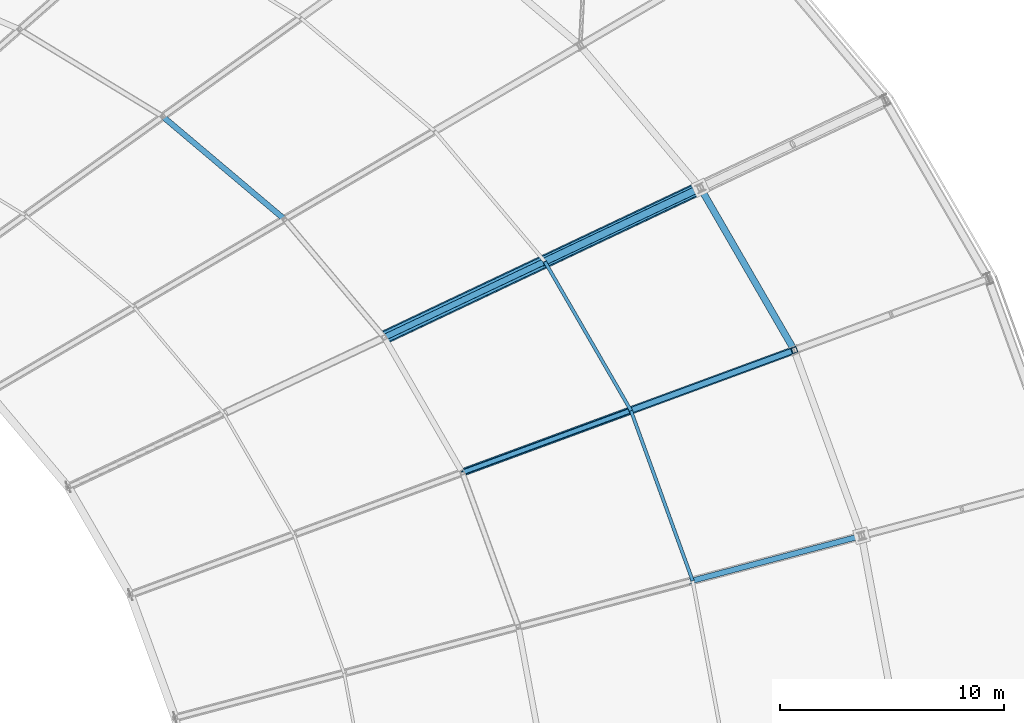
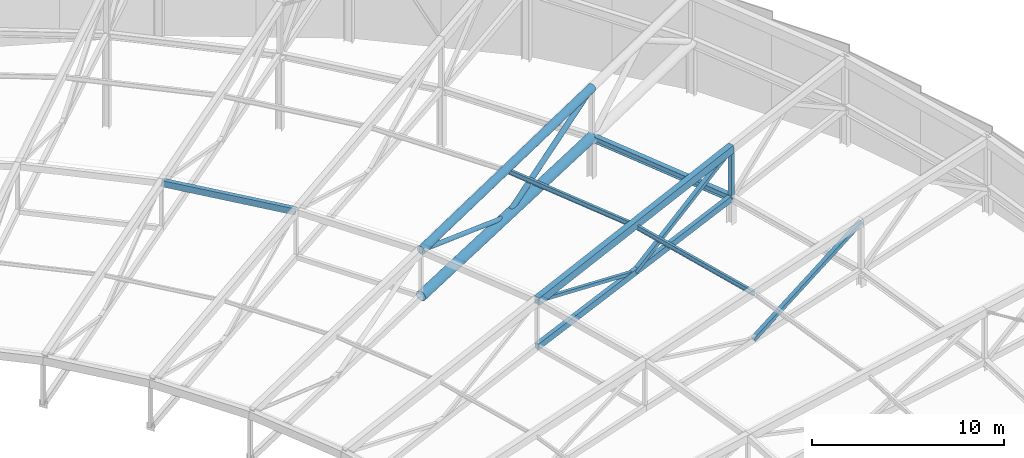
# One storey, part 81 of 143: 8 members, 6 beams.
"""IFC4 building model written with IfcOpenShell, lengths in metres."""

from ifc_helpers import new_model, si_unit, direction, frame, origin, origin_2d, place, context, subcontext, project, spatial, hollow_rectangle, hollow_circle, i_section, extrude, material, material_profile, profile_set, type_object, element, save


model = new_model("IFC4")

# Units and contexts
model_context = context("Model", 3, precision=1e-05, world=origin(), true_north=direction((0.0, 1.0)))
body_context = subcontext(model_context, "Body", "Model", "MODEL_VIEW")
ifc_project = project(units=[si_unit("LENGTHUNIT", "METRE"), si_unit("AREAUNIT", "SQUARE_METRE"), si_unit("VOLUMEUNIT", "CUBIC_METRE"), si_unit("PLANEANGLEUNIT", "RADIAN"), si_unit("MASSUNIT", "GRAM", prefix="KILO")], contexts=[model_context])

# Site, building, storey
site_placement = place(None, origin())
site = spatial("IfcSite", under=ifc_project, at=site_placement, CompositionType="ELEMENT")
building_placement = place(site_placement, origin())
building = spatial("IfcBuilding", under=site, at=building_placement, Name="Mphavela Belvedere Stadium", CompositionType="ELEMENT")
storey_placement = place(building_placement, frame((0.0, 0.0, 28.800048828125)))
storey = spatial("IfcBuildingStorey", under=building, at=storey_placement, Name="RF", CompositionType="ELEMENT", Elevation=28.800048828125)

# Beams
ifc_material_1 = material(Name="Steel S355", Category="steel")
ifc_material_profile_1 = material_profile(ifc_material_1, hollow_rectangle(XDim=0.25, YDim=0.39990234375, WallThickness=0.01611328125, at=origin_2d()), Name="RHS 400x250x16")
ifc_profile_set_1 = profile_set([ifc_material_profile_1], Name="Steel S355")
beam_type_1 = type_object("IfcBeamType", Name="BM-RING-MID", PredefinedType="BEAM", material=ifc_profile_set_1)
beam_1_placement = place(storey_placement, frame((180.364501953125, 125.348388671875, 5.18359375), z_axis=(-0.757645625472, 0.63937086052, 0.131064903468), x_axis=(-0.644934198489, -0.764238104009, 0.0)))
element("IfcBeam", 1, at=beam_1_placement, inside=storey, type_object=beam_type_1, Name="Intermediate roof ring beam RB-MID-06", PredefinedType="BEAM", context=body_context, shape_type="SweptSolid", body=[
    extrude(hollow_rectangle(XDim=0.25, YDim=0.39990234375, WallThickness=0.01611328125, at=origin_2d()), origin(), (0.0, 0.0, 1.0), 7.17724609375),
])
ifc_material_2 = material(Name="Steel S355", Category="steel")
ifc_material_profile_2 = material_profile(ifc_material_2, i_section(OverallWidth=0.300048828125, OverallDepth=0.39990234375, WebThickness=0.013427734375, FlangeThickness=0.02392578125, at=origin_2d()), Name="HEB 400")
ifc_profile_set_2 = profile_set([ifc_material_profile_2], Name="Steel S355")
beam_type_2 = type_object("IfcBeamType", Name="BM-STEEL-HEB400", PredefinedType="BEAM", material=ifc_profile_set_2)
beam_2_placement = place(storey_placement, frame((203.175537109375, 119.484375, 1.611328125), z_axis=(-0.497661073129, 0.860716730152, 0.107238830325), x_axis=(-0.865709023765, -0.500547586322, 0.0)))
element("IfcBeam", 2, at=beam_2_placement, inside=storey, type_object=beam_type_2, Name="Roof bottom-chord tie girder R3-04", PredefinedType="BEAM", context=body_context, shape_type="SweptSolid", body=[
    extrude(i_section(OverallWidth=0.300048828125, OverallDepth=0.39990234375, WebThickness=0.013427734375, FlangeThickness=0.02392578125, at=origin_2d()), origin(), (0.0, 0.0, 1.0), 8.439453125),
])
ifc_material_3 = material(Name="Steel S355", Category="steel")
ifc_material_profile_3 = material_profile(ifc_material_3, hollow_circle(Radius=0.304931640625, WallThickness=0.02490234375, at=origin_2d()), Name="CHS 610x25")
ifc_profile_set_3 = profile_set([ifc_material_profile_3], Name="Steel S355")
beam_type_3 = type_object("IfcBeamType", Name="BM-TRUSS-BC1", PredefinedType="BEAM", material=ifc_profile_set_3)
beam_3_placement = place(storey_placement, frame((198.9755859375, 126.748291015625, 2.516357421875), z_axis=(-0.901600208715, -0.426750998276, -0.070715267915), x_axis=(0.427822032856, -0.903862991942, 0.0)))
element("IfcBeam", 3, at=beam_3_placement, inside=storey, type_object=beam_type_3, Name="Radial roof truss RT-05 bottom chord 2", PredefinedType="BEAM", context=body_context, shape_type="SweptSolid", body=[
    extrude(hollow_circle(Radius=0.304931640625, WallThickness=0.02490234375, at=origin_2d()), origin(), (0.0, 0.0, 1.0), 15.6845703125),
])
ifc_material_4 = material(Name="Steel S355", Category="steel")
ifc_material_profile_4 = material_profile(ifc_material_4, hollow_rectangle(XDim=0.25, YDim=0.39990234375, WallThickness=0.01611328125, at=origin_2d()), Name="RHS 400x250x16")
ifc_profile_set_4 = profile_set([ifc_material_profile_4], Name="Steel S355")
beam_type_4 = type_object("IfcBeamType", Name="BM-TRUSS-BC2", PredefinedType="BEAM", material=ifc_profile_set_4)
beam_4_placement = place(storey_placement, frame((203.175537109375, 119.484375, 1.611328125), z_axis=(-0.936635644943, -0.345066563527, -0.060355077321), x_axis=(0.345696778918, -0.938346277792, 0.0)))
element("IfcBeam", 4, at=beam_4_placement, inside=storey, type_object=beam_type_4, Name="Radial roof truss RT-04 bottom chord 2", PredefinedType="BEAM", context=body_context, shape_type="SweptSolid", body=[
    extrude(hollow_rectangle(XDim=0.25, YDim=0.39990234375, WallThickness=0.01611328125, at=origin_2d()), origin(), (0.0, 0.0, 1.0), 15.8525390625),
])
ifc_material_5 = material(Name="Steel S355", Category="steel")
ifc_material_profile_5 = material_profile(ifc_material_5, hollow_circle(Radius=0.25390625, WallThickness=0.02490234375, at=origin_2d()), Name="CHS 508x25")
ifc_profile_set_5 = profile_set([ifc_material_profile_5], Name="Steel S355")
beam_type_5 = type_object("IfcBeamType", Name="BM-TRUSS-TC1", PredefinedType="BEAM", material=ifc_profile_set_5)
beam_5_placement = place(storey_placement, frame((198.9755859375, 126.748291015625, 5.666259765625), z_axis=(-0.900471557022, -0.426216777862, -0.086546133731), x_axis=(0.427822032856, -0.903862991942, 0.0)))
element("IfcBeam", 5, at=beam_5_placement, inside=storey, type_object=beam_type_5, Name="Radial roof truss RT-05 top chord 2", PredefinedType="BEAM", context=body_context, shape_type="SweptSolid", body=[
    extrude(hollow_circle(Radius=0.25390625, WallThickness=0.02490234375, at=origin_2d()), origin(), (0.0, 0.0, 1.0), 15.7041015625),
])
ifc_material_6 = material(Name="Steel S355", Category="steel")
ifc_material_profile_6 = material_profile(ifc_material_6, hollow_rectangle(XDim=0.35009765625, YDim=0.5, WallThickness=0.02001953125, at=origin_2d()), Name="RHS 500x350x20")
ifc_profile_set_6 = profile_set([ifc_material_profile_6], Name="Steel S355")
beam_type_6 = type_object("IfcBeamType", Name="BM-TRUSS-TC2", PredefinedType="BEAM", material=ifc_profile_set_6)
beam_6_placement = place(storey_placement, frame((203.175537109375, 119.484375, 4.76123046875), z_axis=(-0.935629294796, -0.344695813397, -0.076043533233), x_axis=(0.345696778918, -0.938346277792, 0.0)))
element("IfcBeam", 6, at=beam_6_placement, inside=storey, type_object=beam_type_6, Name="Radial roof truss RT-04 top chord 2", PredefinedType="BEAM", context=body_context, shape_type="SweptSolid", body=[
    extrude(hollow_rectangle(XDim=0.35009765625, YDim=0.5, WallThickness=0.02001953125, at=origin_2d()), origin(), (0.0, 0.0, 1.0), 15.86962890625),
])

# Members
ifc_material_7 = material(Name="Steel S355", Category="steel")
ifc_material_profile_7 = material_profile(ifc_material_7, hollow_circle(Radius=0.136474609375, WallThickness=0.012451171875, at=origin_2d()), Name="CHS 273x12.5")
ifc_profile_set_7 = profile_set([ifc_material_profile_7], Name="Steel S355")
member_type_1 = type_object("IfcMemberType", Name="MEM-DIAG-273", PredefinedType="BRACE", material=ifc_profile_set_7)
member_1_placement = place(storey_placement, frame((191.905029296875, 123.401611328125, 1.961669921875), z_axis=(-0.86578394162, -0.40979822077, 0.287199555511), x_axis=(0.427822032856, -0.903862991942, 0.0)))
element("IfcMember", 7, at=member_1_placement, inside=storey, type_object=member_type_1, Name="Radial roof truss RT-05 web diagonal D4", PredefinedType="BRACE", context=body_context, shape_type="SweptSolid", body=[
    extrude(hollow_circle(Radius=0.136474609375, WallThickness=0.012451171875, at=origin_2d()), origin(), (0.0, 0.0, 1.0), 8.166748046875),
])
ifc_material_8 = material(Name="Steel S355", Category="steel")
ifc_material_profile_8 = material_profile(ifc_material_8, hollow_circle(Radius=0.161865234375, WallThickness=0.01611328125, at=origin_2d()), Name="CHS 323.9x16")
ifc_profile_set_8 = profile_set([ifc_material_profile_8], Name="Steel S355")
member_type_2 = type_object("IfcMemberType", Name="MEM-DIAG-324", PredefinedType="BRACE", material=ifc_profile_set_8)
member_2_placement = place(storey_placement, frame((198.9755859375, 126.748291015625, 5.666259765625), z_axis=(-0.816889573167, -0.386655235281, -0.428006021313), x_axis=(0.427822032856, -0.903862991942, 0.0)))
element("IfcMember", 8, at=member_2_placement, inside=storey, type_object=member_type_2, Name="Radial roof truss RT-05 web diagonal D3", PredefinedType="BRACE", context=body_context, shape_type="SweptSolid", body=[
    extrude(hollow_circle(Radius=0.161865234375, WallThickness=0.01611328125, at=origin_2d()), origin(), (0.0, 0.0, 1.0), 8.655517578125),
])
ifc_material_9 = material(Name="Steel S355", Category="steel")
ifc_material_profile_9 = material_profile(ifc_material_9, hollow_rectangle(XDim=0.199951171875, YDim=0.199951171875, WallThickness=0.010009765625, at=origin_2d()), Name="SHS 200x200x10")
ifc_profile_set_9 = profile_set([ifc_material_profile_9], Name="Steel S355")
member_type_3 = type_object("IfcMemberType", Name="MEM-POST-SHS200", PredefinedType="POST", material=ifc_profile_set_9)
member_3_placement = place(storey_placement, frame((195.75146484375, 116.749267578125, 1.133056640625), z_axis=(-0.897266150481, -0.330562421778, 0.292646442845), x_axis=(0.345696778918, -0.938346277792, 0.0)))
element("IfcMember", 9, at=member_3_placement, inside=storey, type_object=member_type_3, Name="Radial roof truss RT-04 web diagonal D4", PredefinedType="POST", context=body_context, shape_type="SweptSolid", body=[
    extrude(hollow_rectangle(XDim=0.199951171875, YDim=0.199951171875, WallThickness=0.010009765625, at=origin_2d()), origin(), (0.0, 0.0, 1.0), 8.274169921875),
])
ifc_material_10 = material(Name="Steel S355", Category="steel")
ifc_material_profile_10 = material_profile(ifc_material_10, hollow_rectangle(XDim=0.25, YDim=0.25, WallThickness=0.012451171875, at=origin_2d()), Name="SHS 250x250x12.5")
ifc_profile_set_10 = profile_set([ifc_material_profile_10], Name="Steel S355")
member_type_4 = type_object("IfcMemberType", Name="MEM-POST-SHS250", PredefinedType="POST", material=ifc_profile_set_10)
member_4_placement = place(storey_placement, frame((206.1875, 111.181884765625, 4.06689453125), z_axis=(-0.881635737055, -0.233816963368, -0.409936647287), x_axis=(0.256346206615, -0.966585031104, 0.0)))
element("IfcMember", 10, at=member_4_placement, inside=storey, type_object=member_type_4, Name="Radial roof truss RT-03 web diagonal D3", PredefinedType="POST", context=body_context, shape_type="SweptSolid", body=[
    extrude(hollow_rectangle(XDim=0.25, YDim=0.25, WallThickness=0.012451171875, at=origin_2d()), origin(), (0.0, 0.0, 1.0), 8.708251953125),
])
member_5_placement = place(storey_placement, frame((203.175537109375, 119.484375, 1.611328125), z_axis=(0.0, 0.0, 1.0), x_axis=(0.938372433776, 0.34562577382, 0.0)))
element("IfcMember", 11, at=member_5_placement, inside=storey, type_object=member_type_4, Name="Radial roof truss RT-04 post P2", PredefinedType="POST", context=body_context, shape_type="SweptSolid", body=[
    extrude(hollow_rectangle(XDim=0.25, YDim=0.25, WallThickness=0.012451171875, at=origin_2d()), origin(), (0.0, 0.0, 1.0), 3.14990234375),
])
member_6_placement = place(storey_placement, frame((203.175537109375, 119.484375, 4.76123046875), z_axis=(-0.852939960364, -0.314232180472, -0.416835172185), x_axis=(0.345696778918, -0.938346277792, 0.0)))
element("IfcMember", 12, at=member_6_placement, inside=storey, type_object=member_type_4, Name="Radial roof truss RT-04 web diagonal D3", PredefinedType="POST", context=body_context, shape_type="SweptSolid", body=[
    extrude(hollow_rectangle(XDim=0.25, YDim=0.25, WallThickness=0.012451171875, at=origin_2d()), origin(), (0.0, 0.0, 1.0), 8.7041015625),
])
ifc_material_11 = material(Name="Steel S355", Category="steel")
ifc_material_profile_11 = material_profile(ifc_material_11, i_section(OverallWidth=0.14990234375, OverallDepth=0.300048828125, WebThickness=0.007080078125, FlangeThickness=0.0107421875, at=origin_2d()), Name="IPE 300")
ifc_profile_set_11 = profile_set([ifc_material_profile_11], Name="Steel S355")
member_type_5 = type_object("IfcMemberType", Name="MEM-PURLIN-IPE300", PredefinedType="PURLIN", material=ifc_profile_set_11)
member_7_placement = place(storey_placement, frame((198.6279296875, 109.17724609375, 3.34033203125), z_axis=(-0.339981739687, 0.937158433412, 0.078399536755), x_axis=(-0.940051894968, -0.341031427828, 0.0)))
element("IfcMember", 13, at=member_7_placement, inside=storey, type_object=member_type_5, Name="Saddle canopy steel purlin 03-2", PredefinedType="PURLIN", context=body_context, shape_type="SweptSolid", body=[
    extrude(i_section(OverallWidth=0.14990234375, OverallDepth=0.300048828125, WebThickness=0.007080078125, FlangeThickness=0.0107421875, at=origin_2d()), origin(), (0.0, 0.0, 1.0), 8.12451171875),
])
member_8_placement = place(storey_placement, frame((195.86572265625, 116.791259765625, 3.977294921875), z_axis=(-0.497656529019, 0.860718368977, 0.107246764193), x_axis=(-0.865711417256, -0.500543446698, 0.0)))
element("IfcMember", 14, at=member_8_placement, inside=storey, type_object=member_type_5, Name="Saddle canopy steel purlin 04-2", PredefinedType="PURLIN", context=body_context, shape_type="SweptSolid", body=[
    extrude(i_section(OverallWidth=0.14990234375, OverallDepth=0.300048828125, WebThickness=0.007080078125, FlangeThickness=0.0107421875, at=origin_2d()), origin(), (0.0, 0.0, 1.0), 7.739990234375),
])

save(model, "model.ifc")
